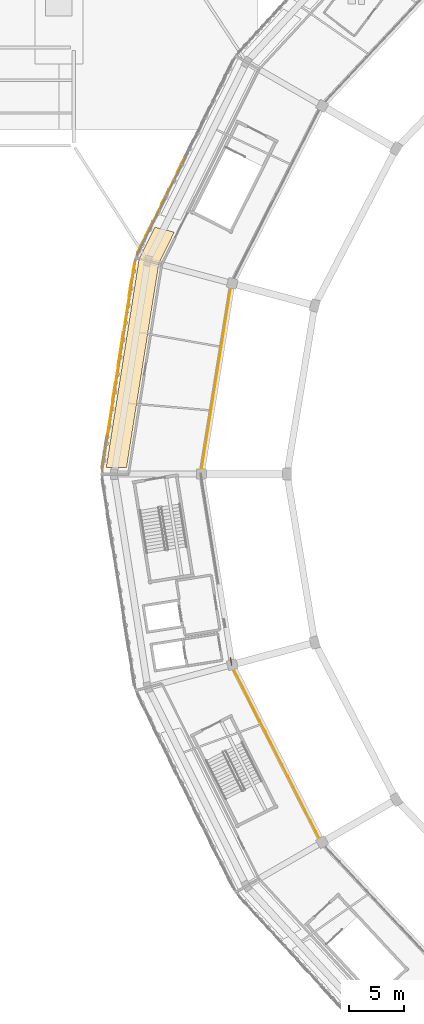
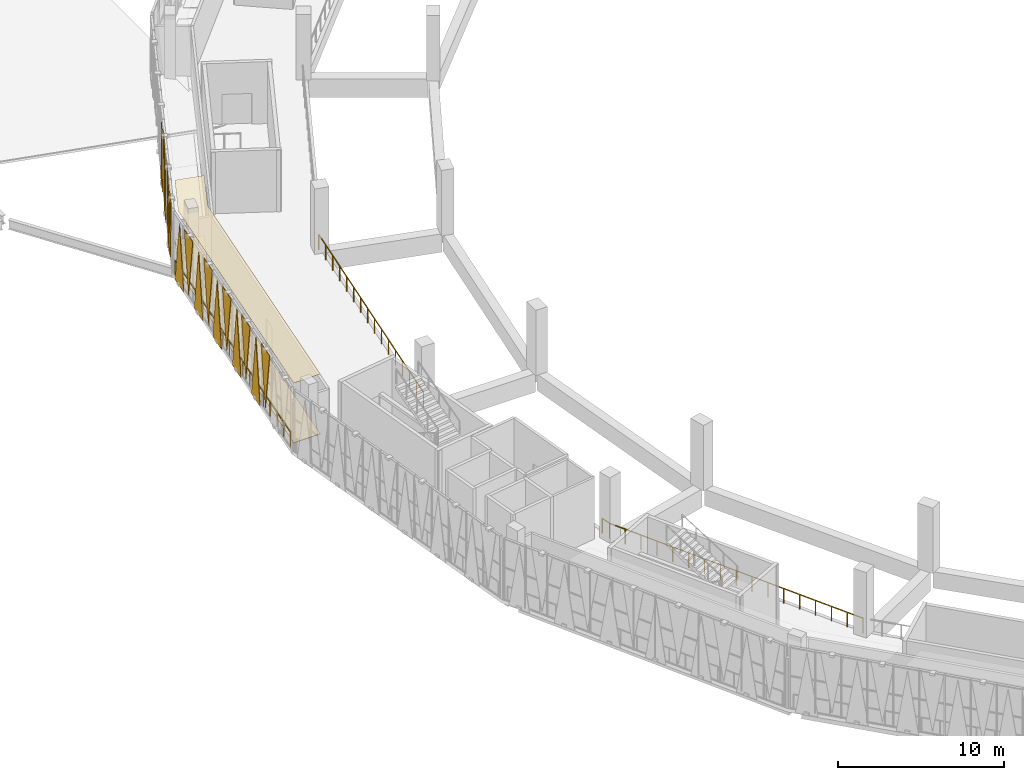
# One storey, part 89 of 108: 18 coverings, 4 railings.
"""IFC4 building model written with IfcOpenShell, lengths in metres."""

from ifc_helpers import new_model, si_unit, direction, frame, origin, origin_2d, place, context, subcontext, project, spatial, polyline, circle, outline, extrude, material, layer, layer_set, type_object, element, save


model = new_model("IFC4")

# Units and contexts
model_context = context("Model", 3, precision=1e-05, world=origin(), true_north=direction((0.0, 1.0)))
body_context = subcontext(model_context, "Body", "Model", "MODEL_VIEW")
ifc_project = project(units=[si_unit("LENGTHUNIT", "METRE"), si_unit("AREAUNIT", "SQUARE_METRE"), si_unit("VOLUMEUNIT", "CUBIC_METRE"), si_unit("PLANEANGLEUNIT", "RADIAN"), si_unit("MASSUNIT", "GRAM", prefix="KILO")], contexts=[model_context])

# Site, building, storey
site_placement = place(None, origin())
site = spatial("IfcSite", under=ifc_project, at=site_placement, CompositionType="ELEMENT")
building_placement = place(site_placement, origin())
building = spatial("IfcBuilding", under=site, at=building_placement, Name="Zevraka Park Crest Stadium", CompositionType="ELEMENT")
storey_placement = place(building_placement, frame((0.0, 0.0, 19.800048828125)))
storey = spatial("IfcBuildingStorey", under=building, at=storey_placement, Name="L04", CompositionType="ELEMENT", Elevation=19.800048828125)

# Coverings
ifc_material_1 = material(Name="Architectural golden-bronze perforated aluminium", Category="aluminium")
ifc_layer_1 = layer(ifc_material_1, 0.034912109375)
ifc_layer_set_1 = layer_set([ifc_layer_1], Name="Architectural golden-bronze perforated aluminium")
covering_type_1 = type_object("IfcCoveringType", Name="CLD01", PredefinedType="CLADDING", material=ifc_layer_set_1)
covering_1_placement = place(storey_placement, frame((28.153076171875, 120.952880859375, -0.219970703125), z_axis=(0.896168162305, -0.443714539975, 0.000178565316), x_axis=(-0.443714547049, -0.896168176593, 0.0)))
element("IfcCovering", 1, at=covering_1_placement, inside=storey, type_object=covering_type_1, Name="Triangular Golden-Bronze Perforated Cladding L04-10-7", PredefinedType="CLADDING", context=body_context, shape_type="SweptSolid", body=[
    extrude(outline(polyline([(0.0, 0.0), (1.480642061984624, 1.3552527156068805e-20), (0.7400448752125612, -4.5798340573903165), (0.0, 0.0)])), origin(), (0.0, 0.0, -1.0), 0.034912109375),
])
covering_2_placement = place(storey_placement, frame((26.76708984375, 118.156005859375, 4.52001953125), z_axis=(-0.895905826712, 0.444244011589, 8.8489351e-05), x_axis=(0.444244013329, 0.89590583022, 0.0)))
element("IfcCovering", 2, at=covering_2_placement, inside=storey, type_object=covering_type_1, Name="Triangular Golden-Bronze Perforated Cladding L04-10-8", PredefinedType="CLADDING", context=body_context, shape_type="SweptSolid", body=[
    extrude(outline(polyline([(0.0, 0.0), (1.48107563553828, -6.776263578034403e-21), (0.7410304062869341, 4.300048844960477), (0.0, 0.0)])), origin(), (0.0, 0.0, -1.0), 0.034912109375),
])
covering_3_placement = place(storey_placement, frame((26.696044921875, 118.012939453125, -0.219970703125), z_axis=(0.896168173435, -0.443714545485, 8.3951629e-05), x_axis=(-0.443714547049, -0.896168176593, 0.0)))
element("IfcCovering", 3, at=covering_3_placement, inside=storey, type_object=covering_type_1, Name="Triangular Golden-Bronze Perforated Cladding L04-10-9", PredefinedType="CLADDING", context=body_context, shape_type="SweptSolid", body=[
    extrude(outline(polyline([(0.0, 0.0), (1.480642061984624, 6.776263578034403e-21), (0.7409200394475148, -4.579834000514052), (0.0, 0.0)])), origin(), (0.0, 0.0, -1.0), 0.034912109375),
])
covering_4_placement = place(storey_placement, frame((25.31005859375, 115.216064453125, 4.52001953125), z_axis=(-0.89577558819, 0.444506575248, 1.281068e-05), x_axis=(0.444506575285, 0.895775588264, 0.0)))
element("IfcCovering", 4, at=covering_4_placement, inside=storey, type_object=covering_type_1, Name="Triangular Golden-Bronze Perforated Cladding L04-10-10", PredefinedType="CLADDING", context=body_context, shape_type="SweptSolid", body=[
    extrude(outline(polyline([(0.0, 0.0), (1.4802007910768735, -8.470329472543003e-22), (0.7399367868758943, 4.300048828477848), (0.0, 0.0)])), origin(), (0.0, 0.0, -1.0), 0.034912109375),
])
covering_5_placement = place(storey_placement, frame((25.239013671875, 115.072021484375, -0.219970703125), z_axis=(0.89616816584, -0.443714541725, 0.000154911894), x_axis=(-0.443714547049, -0.896168176593, 0.0)))
element("IfcCovering", 5, at=covering_5_placement, inside=storey, type_object=covering_type_1, Name="Triangular Golden-Bronze Perforated Cladding L04-10-11", PredefinedType="CLADDING", context=body_context, shape_type="SweptSolid", body=[
    extrude(outline(polyline([(0.0, 0.0), (1.480642061984624, 0.0), (0.7402636662712996, -4.579834039327731), (0.0, 0.0)])), origin(), (0.0, 0.0, -1.0), 0.034912109375),
])
covering_6_placement = place(storey_placement, frame((23.85302734375, 112.27490234375, 4.52001953125), z_axis=(0.895938354376, -0.444178415203, 2.5003557e-05), x_axis=(0.444178415342, 0.895938354656, 0.0)))
element("IfcCovering", 6, at=covering_6_placement, inside=storey, type_object=covering_type_1, Name="Triangular Golden-Bronze Perforated Cladding L04-10-12", PredefinedType="CLADDING", context=body_context, shape_type="SweptSolid", body=[
    extrude(outline(polyline([(0.0, 0.0), (1.4812943665181721, -1.6940658945086007e-21), (0.740155492361385, -4.300048829469149), (0.0, 0.0)])), origin(), (0.0, 0.0, -1.0), 0.034912109375),
])
covering_7_placement = place(storey_placement, frame((23.535888671875, 111.27587890625, -0.219970703125), z_axis=(-0.98774778208, 0.156058703681, 1.369891e-06), x_axis=(-0.156058703682, -0.987747782081, 0.0)))
element("IfcCovering", 7, at=covering_7_placement, inside=storey, type_object=covering_type_1, Name="Triangular Golden-Bronze Perforated Cladding L04-11-1", PredefinedType="CLADDING", context=body_context, shape_type="SweptSolid", body=[
    extrude(outline(polyline([(0.0, 0.0), (1.4345688375175898, 0.0), (0.7165419205414895, 4.579833984379299), (0.0, 0.0)])), origin(), (0.0, 0.0, -1.0), 0.034912109375),
])
covering_8_placement = place(storey_placement, frame((23.06396484375, 108.282958984375, 4.52001953125), z_axis=(0.987842814257, -0.155455980067, 0.000112172011), x_axis=(0.155455981045, 0.987842820472, 0.0)))
element("IfcCovering", 8, at=covering_8_placement, inside=storey, type_object=covering_type_1, Name="Triangular Golden-Bronze Perforated Cladding L04-11-2", PredefinedType="CLADDING", context=body_context, shape_type="SweptSolid", body=[
    extrude(outline(polyline([(0.0, 0.0), (1.435419401360921, 3.3881317890172014e-21), (0.7177856069212052, -4.3000488551778115), (0.0, 0.0)])), origin(), (0.0, 0.0, -1.0), 0.034912109375),
])
covering_9_placement = place(storey_placement, frame((23.0390625, 108.125, -0.219970703125), z_axis=(-0.987842814993, 0.155455980183, 0.000105319347), x_axis=(-0.155455981045, -0.987842820472, 0.0)))
element("IfcCovering", 9, at=covering_9_placement, inside=storey, type_object=covering_type_1, Name="Triangular Golden-Bronze Perforated Cladding L04-11-3", PredefinedType="CLADDING", context=body_context, shape_type="SweptSolid", body=[
    extrude(outline(polyline([(0.0, 0.0), (1.435419401360921, 0.0), (0.7176337944397156, 4.579834009775138), (0.0, 0.0)])), origin(), (0.0, 0.0, -1.0), 0.034912109375),
])
covering_10_placement = place(storey_placement, frame((22.568115234375, 105.131103515625, 4.52001953125), z_axis=(-0.987868916505, 0.155290000132, 0.000140218719), x_axis=(0.155290001659, 0.987868926217, 0.0)))
element("IfcCovering", 10, at=covering_10_placement, inside=storey, type_object=covering_type_1, Name="Triangular Golden-Bronze Perforated Cladding L04-11-4", PredefinedType="CLADDING", context=body_context, shape_type="SweptSolid", body=[
    extrude(outline(polyline([(0.0, 0.0), (1.4353814685014366, 0.0), (0.717595952755565, 4.300048870397252), (0.0, 0.0)])), origin(), (0.0, 0.0, -1.0), 0.034912109375),
])
covering_11_placement = place(storey_placement, frame((22.54296875, 104.972900390625, -0.219970703125), z_axis=(0.987868917656, -0.155290000313, 0.000131652662), x_axis=(-0.155290001659, -0.987868926217, 0.0)))
element("IfcCovering", 11, at=covering_11_placement, inside=storey, type_object=covering_type_1, Name="Triangular Golden-Bronze Perforated Cladding L04-11-5", PredefinedType="CLADDING", context=body_context, shape_type="SweptSolid", body=[
    extrude(outline(polyline([(0.0, 0.0), (1.4353814685014366, 3.3881317890172014e-21), (0.7177855157458715, -4.579834024064811), (0.0, 0.0)])), origin(), (0.0, 0.0, -1.0), 0.034912109375),
])
covering_12_placement = place(storey_placement, frame((22.071044921875, 101.97900390625, 4.52001953125), z_axis=(0.987764343845, -0.155953840101, 2.8040775e-05), x_axis=(0.155953840162, 0.987764344233, 0.0)))
element("IfcCovering", 12, at=covering_12_placement, inside=storey, type_object=covering_type_1, Name="Triangular Golden-Bronze Perforated Cladding L04-11-6", PredefinedType="CLADDING", context=body_context, shape_type="SweptSolid", body=[
    extrude(outline(polyline([(0.0, 0.0), (1.4355334430507345, -8.470329472543003e-22), (0.7177857588593715, -4.300048829815532), (0.0, 0.0)])), origin(), (0.0, 0.0, -1.0), 0.034912109375),
])
covering_13_placement = place(storey_placement, frame((22.047119140625, 101.821044921875, -0.219970703125), z_axis=(-0.987738132508, 0.156119766812, 0.0), x_axis=(-0.156119766812, -0.987738132508, 0.0)))
element("IfcCovering", 13, at=covering_13_placement, inside=storey, type_object=covering_type_1, Name="Triangular Golden-Bronze Perforated Cladding L04-11-7", PredefinedType="CLADDING", context=body_context, shape_type="SweptSolid", body=[
    extrude(outline(polyline([(0.0, 0.0), (1.4355715379737295, 0.0), (0.7177857689868647, 4.579833984375), (0.0, 0.0)])), origin(), (0.0, 0.0, -1.0), 0.034912109375),
])
covering_14_placement = place(storey_placement, frame((21.574951171875, 98.826904296875, 4.52001953125), z_axis=(0.987846923047, -0.155429865324, 0.00011658484), x_axis=(0.15542986638, 0.98784692976, 0.0)))
element("IfcCovering", 14, at=covering_14_placement, inside=storey, type_object=covering_type_1, Name="Triangular Golden-Bronze Perforated Cladding L04-11-8", PredefinedType="CLADDING", context=body_context, shape_type="SweptSolid", body=[
    extrude(outline(polyline([(0.0, 0.0), (1.435660574426177, 0.0), (0.7177855939191139, -4.300048857348186), (0.0, 0.0)])), origin(), (0.0, 0.0, -1.0), 0.034912109375),
])
covering_15_placement = place(storey_placement, frame((21.550048828125, 98.6689453125, -0.219970703125), z_axis=(-0.987842814993, 0.155455980183, 0.000105319347), x_axis=(-0.155455981045, -0.987842820472, 0.0)))
element("IfcCovering", 15, at=covering_15_placement, inside=storey, type_object=covering_type_1, Name="Triangular Golden-Bronze Perforated Cladding L04-11-9", PredefinedType="CLADDING", context=body_context, shape_type="SweptSolid", body=[
    extrude(outline(polyline([(0.0, 0.0), (1.435419401360921, 0.0), (0.7176337944397156, 4.579834009775138), (0.0, 0.0)])), origin(), (0.0, 0.0, -1.0), 0.034912109375),
])
covering_16_placement = place(storey_placement, frame((21.0791015625, 95.675048828125, 4.52001953125), z_axis=(-0.987868916505, 0.155290000132, 0.000140218719), x_axis=(0.155290001659, 0.987868926217, 0.0)))
element("IfcCovering", 16, at=covering_16_placement, inside=storey, type_object=covering_type_1, Name="Triangular Golden-Bronze Perforated Cladding L04-11-10", PredefinedType="CLADDING", context=body_context, shape_type="SweptSolid", body=[
    extrude(outline(polyline([(0.0, 0.0), (1.4353814685014366, 0.0), (0.717595952755565, 4.300048870397252), (0.0, 0.0)])), origin(), (0.0, 0.0, -1.0), 0.034912109375),
])
ifc_material_2 = material(Name="Perforated acoustic mineral-fibre suspended ceiling", Category="other")
ifc_layer_2 = layer(ifc_material_2, 0.02490234375)
ifc_layer_set_2 = layer_set([ifc_layer_2], Name="Perforated acoustic mineral-fibre suspended ceiling")
covering_type_2 = type_object("IfcCoveringType", Name="CLG01", PredefinedType="CEILING", material=ifc_layer_set_2)
covering_17_placement = place(storey_placement, frame((0.0, 0.0, 4.39990234375)))
element("IfcCovering", 17, at=covering_17_placement, inside=storey, type_object=covering_type_2, Name="Acoustic Ceiling Hospitality Suite L04-033", PredefinedType="CEILING", context=body_context, shape_type="SweptSolid", body=[
    extrude(outline(polyline([(20.97900390625, 92.60107421875), (23.98388671875, 111.677978515625), (25.4208984375, 114.572021484375), (27.195068359375, 114.110107421875), (25.794921875, 111.2548828125), (25.7880859375, 111.237060546875), (25.781982421875, 111.218017578125), (25.777099609375, 111.197998046875), (22.8349609375, 92.616943359375), (20.97900390625, 92.60107421875)])), origin(), (0.0, 0.0, 1.0), 0.025146484375),
])
ifc_material_3 = material(Name="Honed terrazzo and slip-resistant sports flooring", Category="other")
ifc_layer_3 = layer(ifc_material_3, 0.0400390625)
ifc_layer_set_3 = layer_set([ifc_layer_3], Name="Honed terrazzo and slip-resistant sports flooring")
covering_type_3 = type_object("IfcCoveringType", Name="FLR01", PredefinedType="FLOORING", material=ifc_layer_set_3)
covering_18_placement = place(storey_placement, origin())
element("IfcCovering", 18, at=covering_18_placement, inside=storey, type_object=covering_type_3, Name="Terrazzo Floor Finish Hospitality Suite L04-033", PredefinedType="FLOORING", context=body_context, shape_type="SweptSolid", body=[
    extrude(outline(polyline([(20.97900390625, 92.60107421875), (23.98388671875, 111.677978515625), (25.4208984375, 114.572021484375), (27.195068359375, 114.110107421875), (25.794921875, 111.2548828125), (25.7880859375, 111.237060546875), (25.781982421875, 111.218017578125), (25.777099609375, 111.197998046875), (22.8349609375, 92.616943359375), (20.97900390625, 92.60107421875)])), origin(), (0.0, 0.0, 1.0), 0.0400390625),
])

# Railings
ifc_material_4 = material(Name="Galvanised and bronze-finished steel balustrade", Category="steel")
railing_type = type_object("IfcRailingType", Name="GR01", PredefinedType="GUARDRAIL", material=ifc_material_4)
railing_1_placement = place(storey_placement, frame((20.62890625, 92.3701171875, 0.0)))
element("IfcRailing", 19, at=railing_1_placement, inside=storey, type_object=railing_type, Name="Deck Edge Protection Guardrail GR01 L04-1", PredefinedType="GUARDRAIL", context=body_context, shape_type="SweptSolid", body=[
    extrude(circle(Radius=0.02392578125, at=origin_2d()), frame((0.0, 0.0, 1.076171875), z_axis=(0.155581035886, 0.987823132586, 0.0), x_axis=(-0.987823132586, 0.155581035886, 0.0)), (0.0, 0.0, 1.0), 19.288818359375),
    extrude(circle(Radius=0.02099609375, at=origin_2d()), origin(), (0.0, 0.0, 1.0), 1.052001953125),
    extrude(circle(Radius=0.02099609375, at=origin_2d()), frame((0.176513671875, 1.120849609375, 0.0)), (0.0, 0.0, 1.0), 1.052001953125),
    extrude(circle(Radius=0.02099609375, at=origin_2d()), frame((0.35302734375, 2.24169921875, 0.0)), (0.0, 0.0, 1.0), 1.052001953125),
    extrude(circle(Radius=0.02099609375, at=origin_2d()), frame((0.529541015625, 3.362548828125, 0.0)), (0.0, 0.0, 1.0), 1.052001953125),
    extrude(circle(Radius=0.02099609375, at=origin_2d()), frame((0.7060546875, 4.4833984375, 0.0)), (0.0, 0.0, 1.0), 1.052001953125),
    extrude(circle(Radius=0.02099609375, at=origin_2d()), frame((0.882568359375, 5.60400390625, 0.0)), (0.0, 0.0, 1.0), 1.052001953125),
    extrude(circle(Radius=0.02099609375, at=origin_2d()), frame((1.05908203125, 6.724853515625, 0.0)), (0.0, 0.0, 1.0), 1.052001953125),
    extrude(circle(Radius=0.02099609375, at=origin_2d()), frame((1.235595703125, 7.845703125, 0.0)), (0.0, 0.0, 1.0), 1.052001953125),
    extrude(circle(Radius=0.02099609375, at=origin_2d()), frame((1.412109375, 8.966552734375, 0.0)), (0.0, 0.0, 1.0), 1.052001953125),
    extrude(circle(Radius=0.02099609375, at=origin_2d()), frame((1.5888671875, 10.08740234375, 0.0)), (0.0, 0.0, 1.0), 1.052001953125),
    extrude(circle(Radius=0.02099609375, at=origin_2d()), frame((1.765380859375, 11.208251953125, 0.0)), (0.0, 0.0, 1.0), 1.052001953125),
    extrude(circle(Radius=0.02099609375, at=origin_2d()), frame((1.94189453125, 12.3291015625, 0.0)), (0.0, 0.0, 1.0), 1.052001953125),
    extrude(circle(Radius=0.02099609375, at=origin_2d()), frame((2.118408203125, 13.449951171875, 0.0)), (0.0, 0.0, 1.0), 1.052001953125),
    extrude(circle(Radius=0.02099609375, at=origin_2d()), frame((2.294921875, 14.570556640625, 0.0)), (0.0, 0.0, 1.0), 1.052001953125),
    extrude(circle(Radius=0.02099609375, at=origin_2d()), frame((2.471435546875, 15.69140625, 0.0)), (0.0, 0.0, 1.0), 1.052001953125),
    extrude(circle(Radius=0.02099609375, at=origin_2d()), frame((2.64794921875, 16.812255859375, 0.0)), (0.0, 0.0, 1.0), 1.052001953125),
    extrude(circle(Radius=0.02099609375, at=origin_2d()), frame((2.824462890625, 17.93310546875, 0.0)), (0.0, 0.0, 1.0), 1.052001953125),
    extrude(circle(Radius=0.02099609375, at=origin_2d()), frame((3.0009765625, 19.053955078125, 0.0)), (0.0, 0.0, 1.0), 1.052001953125),
])
railing_2_placement = place(storey_placement, frame((32.43505859375, 109.429931640625, 0.0)))
element("IfcRailing", 20, at=railing_2_placement, inside=storey, type_object=railing_type, Name="Deck Edge Protection Guardrail GR01 L04-50", PredefinedType="GUARDRAIL", context=body_context, shape_type="SweptSolid", body=[
    extrude(circle(Radius=0.02392578125, at=origin_2d()), frame((0.0, 0.0, 1.076171875), z_axis=(-0.158854096548, -0.987302069283, 0.0), x_axis=(0.987302069283, -0.158854096548, 0.0)), (0.0, 0.0, 1.0), 17.651123046875),
    extrude(circle(Radius=0.02099609375, at=origin_2d()), origin(), (0.0, 0.0, 1.0), 1.052001953125),
    extrude(circle(Radius=0.02099609375, at=origin_2d()), frame((-0.18701171875, -1.161865234375, 0.0)), (0.0, 0.0, 1.0), 1.052001953125),
    extrude(circle(Radius=0.02099609375, at=origin_2d()), frame((-0.373779296875, -2.323486328125, 0.0)), (0.0, 0.0, 1.0), 1.052001953125),
    extrude(circle(Radius=0.02099609375, at=origin_2d()), frame((-0.560791015625, -3.4853515625, 0.0)), (0.0, 0.0, 1.0), 1.052001953125),
    extrude(circle(Radius=0.02099609375, at=origin_2d()), frame((-0.747802734375, -4.647216796875, 0.0)), (0.0, 0.0, 1.0), 1.052001953125),
    extrude(circle(Radius=0.02099609375, at=origin_2d()), frame((-0.9345703125, -5.80908203125, 0.0)), (0.0, 0.0, 1.0), 1.052001953125),
    extrude(circle(Radius=0.02099609375, at=origin_2d()), frame((-1.12158203125, -6.970703125, 0.0)), (0.0, 0.0, 1.0), 1.052001953125),
    extrude(circle(Radius=0.02099609375, at=origin_2d()), frame((-1.30859375, -8.132568359375, 0.0)), (0.0, 0.0, 1.0), 1.052001953125),
    extrude(circle(Radius=0.02099609375, at=origin_2d()), frame((-1.495361328125, -9.29443359375, 0.0)), (0.0, 0.0, 1.0), 1.052001953125),
    extrude(circle(Radius=0.02099609375, at=origin_2d()), frame((-1.682373046875, -10.456298828125, 0.0)), (0.0, 0.0, 1.0), 1.052001953125),
    extrude(circle(Radius=0.02099609375, at=origin_2d()), frame((-1.869384765625, -11.617919921875, 0.0)), (0.0, 0.0, 1.0), 1.052001953125),
    extrude(circle(Radius=0.02099609375, at=origin_2d()), frame((-2.05615234375, -12.77978515625, 0.0)), (0.0, 0.0, 1.0), 1.052001953125),
    extrude(circle(Radius=0.02099609375, at=origin_2d()), frame((-2.2431640625, -13.941650390625, 0.0)), (0.0, 0.0, 1.0), 1.052001953125),
    extrude(circle(Radius=0.02099609375, at=origin_2d()), frame((-2.43017578125, -15.103515625, 0.0)), (0.0, 0.0, 1.0), 1.052001953125),
    extrude(circle(Radius=0.02099609375, at=origin_2d()), frame((-2.616943359375, -16.26513671875, 0.0)), (0.0, 0.0, 1.0), 1.052001953125),
    extrude(circle(Radius=0.02099609375, at=origin_2d()), frame((-2.803955078125, -17.427001953125, 0.0)), (0.0, 0.0, 1.0), 1.052001953125),
])
railing_3_placement = place(storey_placement, frame((32.33203125, 75.20703125, 0.0)))
element("IfcRailing", 21, at=railing_3_placement, inside=storey, type_object=railing_type, Name="Deck Edge Protection Guardrail GR01 L04-53", PredefinedType="GUARDRAIL", context=body_context, shape_type="SweptSolid", body=[
    extrude(circle(Radius=0.02392578125, at=origin_2d()), frame((0.0, 0.0, 1.076171875), z_axis=(0.168733154705, -0.985661768815, 0.0), x_axis=(0.985661768815, 0.168733154705, 0.0)), (0.0, 0.0, 1.0), 0.67578125),
    extrude(circle(Radius=0.02099609375, at=origin_2d()), origin(), (0.0, 0.0, 1.0), 1.052001953125),
    extrude(circle(Radius=0.02099609375, at=origin_2d()), frame((0.114013671875, -0.666015625, 0.0)), (0.0, 0.0, 1.0), 1.052001953125),
])
railing_4_placement = place(storey_placement, frame((32.446044921875, 74.541015625, 0.0)))
element("IfcRailing", 22, at=railing_4_placement, inside=storey, type_object=railing_type, Name="Deck Edge Protection Guardrail GR01 L04-54", PredefinedType="GUARDRAIL", context=body_context, shape_type="SweptSolid", body=[
    extrude(circle(Radius=0.02392578125, at=origin_2d()), frame((0.0, 0.0, 1.076171875), z_axis=(0.45195269046, -0.892041907976, 0.0), x_axis=(0.892041907976, 0.45195269046, 0.0)), (0.0, 0.0, 1.0), 18.19189453125),
    extrude(circle(Radius=0.02099609375, at=origin_2d()), origin(), (0.0, 0.0, 1.0), 1.052001953125),
    extrude(circle(Radius=0.02099609375, at=origin_2d()), frame((0.513916015625, -1.01416015625, 0.0)), (0.0, 0.0, 1.0), 1.052001953125),
    extrude(circle(Radius=0.02099609375, at=origin_2d()), frame((1.02783203125, -2.028564453125, 0.0)), (0.0, 0.0, 1.0), 1.052001953125),
    extrude(circle(Radius=0.02099609375, at=origin_2d()), frame((1.54150390625, -3.042724609375, 0.0)), (0.0, 0.0, 1.0), 1.052001953125),
    extrude(circle(Radius=0.02099609375, at=origin_2d()), frame((2.055419921875, -4.05712890625, 0.0)), (0.0, 0.0, 1.0), 1.052001953125),
    extrude(circle(Radius=0.02099609375, at=origin_2d()), frame((2.5693359375, -5.0712890625, 0.0)), (0.0, 0.0, 1.0), 1.052001953125),
    extrude(circle(Radius=0.02099609375, at=origin_2d()), frame((3.083251953125, -6.08544921875, 0.0)), (0.0, 0.0, 1.0), 1.052001953125),
    extrude(circle(Radius=0.02099609375, at=origin_2d()), frame((3.59716796875, -7.099853515625, 0.0)), (0.0, 0.0, 1.0), 1.052001953125),
    extrude(circle(Radius=0.02099609375, at=origin_2d()), frame((4.11083984375, -8.114013671875, 0.0)), (0.0, 0.0, 1.0), 1.052001953125),
    extrude(circle(Radius=0.02099609375, at=origin_2d()), frame((4.624755859375, -9.128173828125, 0.0)), (0.0, 0.0, 1.0), 1.052001953125),
    extrude(circle(Radius=0.02099609375, at=origin_2d()), frame((5.138671875, -10.142578125, 0.0)), (0.0, 0.0, 1.0), 1.052001953125),
    extrude(circle(Radius=0.02099609375, at=origin_2d()), frame((5.652587890625, -11.15673828125, 0.0)), (0.0, 0.0, 1.0), 1.052001953125),
    extrude(circle(Radius=0.02099609375, at=origin_2d()), frame((6.16650390625, -12.1708984375, 0.0)), (0.0, 0.0, 1.0), 1.052001953125),
    extrude(circle(Radius=0.02099609375, at=origin_2d()), frame((6.680419921875, -13.185302734375, 0.0)), (0.0, 0.0, 1.0), 1.052001953125),
    extrude(circle(Radius=0.02099609375, at=origin_2d()), frame((7.194091796875, -14.199462890625, 0.0)), (0.0, 0.0, 1.0), 1.052001953125),
    extrude(circle(Radius=0.02099609375, at=origin_2d()), frame((7.7080078125, -15.2138671875, 0.0)), (0.0, 0.0, 1.0), 1.052001953125),
    extrude(circle(Radius=0.02099609375, at=origin_2d()), frame((8.221923828125, -16.22802734375, 0.0)), (0.0, 0.0, 1.0), 1.052001953125),
])

save(model, "model.ifc")
